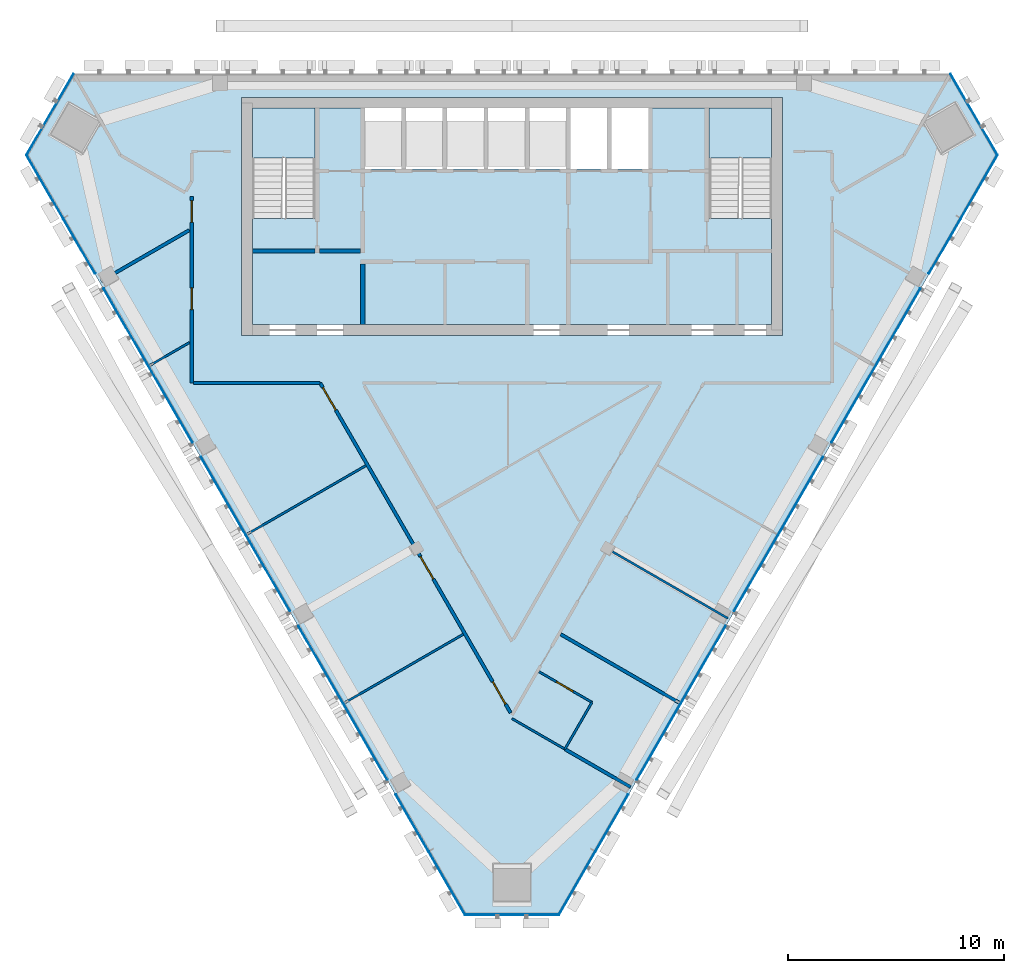
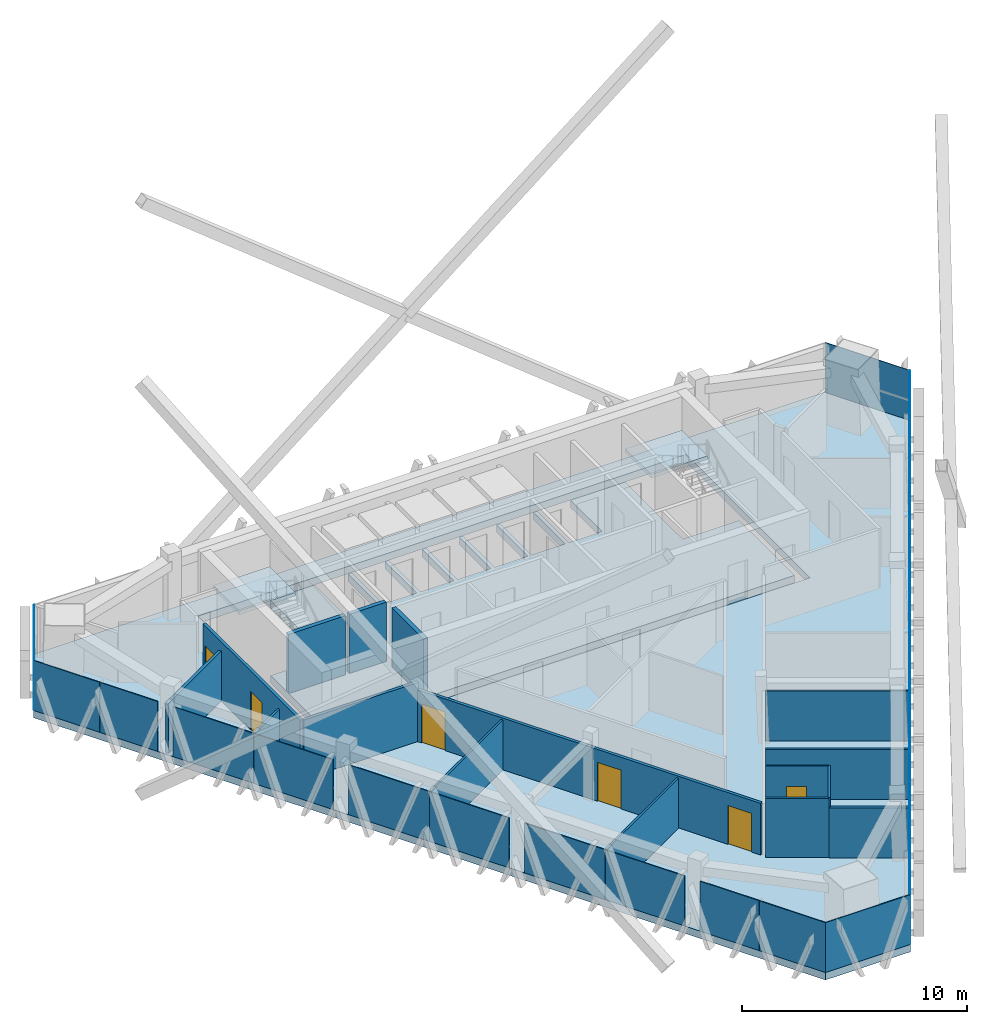
# One storey, part 7 of 12: 23 plates, 16 walls, 6 doors, 4 slabs, 6 openings, 7 elements without a shape of their own.
"""IFC4 building model written with IfcOpenShell, lengths in metres."""

from ifc_helpers import new_model, si_unit, direction, frame, frame_2d, origin, origin_2d, place, context, subcontext, project, spatial, polyline, rectangle, outline, extrude, material, layer, layer_set, type_object, element, fill, aggregate, save


model = new_model("IFC4")

# Units and contexts
model_context = context("Model", 3, precision=1e-05, world=origin(), true_north=direction((0.0, 1.0)))
body_context = subcontext(model_context, "Body", "Model", "MODEL_VIEW")
ifc_project = project(units=[si_unit("LENGTHUNIT", "METRE"), si_unit("AREAUNIT", "SQUARE_METRE"), si_unit("VOLUMEUNIT", "CUBIC_METRE"), si_unit("PLANEANGLEUNIT", "RADIAN"), si_unit("MASSUNIT", "GRAM", prefix="KILO")], contexts=[model_context])

# Site, building, storey
site_placement = place(None, origin())
site = spatial("IfcSite", under=ifc_project, at=site_placement, CompositionType="ELEMENT")
building_placement = place(site_placement, origin())
building = spatial("IfcBuilding", under=site, at=building_placement, Name="Altiplano Prism Tower", CompositionType="ELEMENT")
storey_placement = place(building_placement, frame((0.0, 0.0, 291.39990234375)))
storey = spatial("IfcBuildingStorey", under=building, at=storey_placement, Name="L75", CompositionType="ELEMENT", Elevation=291.39990234375)

# Curtain wall, plate
ifc_material_1 = material(Name="Aluminium and glass", Category="aluminium")
ifc_layer_1 = layer(ifc_material_1, 0.280029296875)
ifc_layer_set_1 = layer_set([ifc_layer_1], Name="Aluminium and glass")
curtain_wall_type = type_object("IfcCurtainWallType", Name="CW1 typical co-living unitised curtain wall", PredefinedType="NOTDEFINED", material=ifc_layer_set_1)
curtain_wall_1_placement = place(storey_placement, origin())
curtain_wall_1 = element("IfcCurtainWall", 1, at=curtain_wall_1_placement, inside=storey, type_object=curtain_wall_type, Name="CW1 curtain wall north-west chamfer L75", PredefinedType="NOTDEFINED")
ifc_material_2 = material(Name="Clear glass", Category="glass")
ifc_layer_2 = layer(ifc_material_2, 0.0400390625)
ifc_layer_set_2 = layer_set([ifc_layer_2], Name="Clear glass")
plate_type = type_object("IfcPlateType", Name="CW1 insulated glass unit 40", PredefinedType="CURTAIN_PANEL", material=ifc_layer_set_2)
plate_1_placement = place(storey_placement, frame((63.654052734375, 103.107666015625, 0.0), z_axis=(0.0, 0.0, 1.0), x_axis=(-0.500000064314, -0.866025366653, 0.0)))
plate_1 = element("IfcPlate", 2, at=plate_1_placement, type_object=plate_type, Name="CW1 panel", PredefinedType="CURTAIN_PANEL", context=body_context, shape_type="SweptSolid", body=[
    extrude(rectangle(XDim=4.3369140625, YDim=0.0400390625, at=origin_2d()), origin(), (0.0, 0.0, 1.0), 2.699951171875),
])
aggregate(curtain_wall_1, [plate_1])

# Curtain wall, plates
curtain_wall_2_placement = place(storey_placement, origin())
curtain_wall_2 = element("IfcCurtainWall", 3, at=curtain_wall_2_placement, inside=storey, type_object=curtain_wall_type, Name="CW1 curtain wall south-west face L75", PredefinedType="NOTDEFINED")
plate_2_placement = place(storey_placement, frame((63.414306640625, 99.7783203125, 0.0), z_axis=(0.0, 0.0, 1.0), x_axis=(0.499999988588, -0.866025410373, 0.0)))
plate_2 = element("IfcPlate", 4, at=plate_2_placement, type_object=plate_type, Name="CW1 panel", PredefinedType="CURTAIN_PANEL", context=body_context, shape_type="SweptSolid", body=[
    extrude(rectangle(XDim=3.378173828125, YDim=0.0400390625, at=origin_2d()), origin(), (0.0, 0.0, 1.0), 2.699951171875),
])
plate_3_placement = place(storey_placement, frame((65.001220703125, 97.030029296875, 0.0), z_axis=(0.0, 0.0, 1.0), x_axis=(0.499999988588, -0.866025410373, 0.0)))
plate_3 = element("IfcPlate", 5, at=plate_3_placement, type_object=plate_type, Name="CW1 panel", PredefinedType="CURTAIN_PANEL", context=body_context, shape_type="SweptSolid", body=[
    extrude(rectangle(XDim=2.94873046875, YDim=0.0400390625, at=origin_2d()), origin(), (0.0, 0.0, 1.0), 2.699951171875),
])
plate_4_placement = place(storey_placement, frame((67.168212890625, 93.276611328125, 0.0), z_axis=(0.0, 0.0, 1.0), x_axis=(0.499999988588, -0.866025410373, 0.0)))
plate_4 = element("IfcPlate", 6, at=plate_4_placement, type_object=plate_type, Name="CW1 panel", PredefinedType="CURTAIN_PANEL", context=body_context, shape_type="SweptSolid", body=[
    extrude(rectangle(XDim=4.139892578125, YDim=0.0400390625, at=origin_2d()), origin(), (0.0, 0.0, 1.0), 2.699951171875),
])
plate_5_placement = place(storey_placement, frame((69.22314453125, 89.717041015625, 0.0), z_axis=(0.0, 0.0, 1.0), x_axis=(0.499999988588, -0.866025410373, 0.0)))
plate_5 = element("IfcPlate", 7, at=plate_5_placement, type_object=plate_type, Name="CW1 panel", PredefinedType="CURTAIN_PANEL", context=body_context, shape_type="SweptSolid", body=[
    extrude(rectangle(XDim=4.060302734375, YDim=0.0400390625, at=origin_2d()), origin(), (0.0, 0.0, 1.0), 2.699951171875),
])
plate_6_placement = place(storey_placement, frame((71.668212890625, 85.482421875, 0.0), z_axis=(0.0, 0.0, 1.0), x_axis=(0.499999988588, -0.866025410373, 0.0)))
plate_6 = element("IfcPlate", 8, at=plate_6_placement, type_object=plate_type, Name="CW1 panel", PredefinedType="CURTAIN_PANEL", context=body_context, shape_type="SweptSolid", body=[
    extrude(rectangle(XDim=4.139892578125, YDim=0.0400390625, at=origin_2d()), origin(), (0.0, 0.0, 1.0), 2.699951171875),
])
plate_7_placement = place(storey_placement, frame((73.72314453125, 81.9228515625, 0.0), z_axis=(0.0, 0.0, 1.0), x_axis=(0.499999988588, -0.866025410373, 0.0)))
plate_7 = element("IfcPlate", 9, at=plate_7_placement, type_object=plate_type, Name="CW1 panel", PredefinedType="CURTAIN_PANEL", context=body_context, shape_type="SweptSolid", body=[
    extrude(rectangle(XDim=4.060302734375, YDim=0.0400390625, at=origin_2d()), origin(), (0.0, 0.0, 1.0), 2.699951171875),
])
plate_8_placement = place(storey_placement, frame((76.168212890625, 77.688232421875, 0.0), z_axis=(0.0, 0.0, 1.0), x_axis=(0.499999988588, -0.866025410373, 0.0)))
plate_8 = element("IfcPlate", 10, at=plate_8_placement, type_object=plate_type, Name="CW1 panel", PredefinedType="CURTAIN_PANEL", context=body_context, shape_type="SweptSolid", body=[
    extrude(rectangle(XDim=4.139892578125, YDim=0.0400390625, at=origin_2d()), origin(), (0.0, 0.0, 1.0), 2.699951171875),
])
plate_9_placement = place(storey_placement, frame((78.22314453125, 74.128662109375, 0.0), z_axis=(0.0, 0.0, 1.0), x_axis=(0.499999988588, -0.866025410373, 0.0)))
plate_9 = element("IfcPlate", 11, at=plate_9_placement, type_object=plate_type, Name="CW1 panel", PredefinedType="CURTAIN_PANEL", context=body_context, shape_type="SweptSolid", body=[
    extrude(rectangle(XDim=4.060302734375, YDim=0.0400390625, at=origin_2d()), origin(), (0.0, 0.0, 1.0), 2.699951171875),
])
plate_10_placement = place(storey_placement, frame((80.39013671875, 70.375244140625, 0.0), z_axis=(0.0, 0.0, 1.0), x_axis=(0.499999988588, -0.866025410373, 0.0)))
plate_10 = element("IfcPlate", 12, at=plate_10_placement, type_object=plate_type, Name="CW1 panel", PredefinedType="CURTAIN_PANEL", context=body_context, shape_type="SweptSolid", body=[
    extrude(rectangle(XDim=3.028076171875, YDim=0.0400390625, at=origin_2d()), origin(), (0.0, 0.0, 1.0), 2.699951171875),
])
plate_11_placement = place(storey_placement, frame((81.996826171875, 67.592529296875, 0.0), z_axis=(0.0, 0.0, 1.0), x_axis=(0.499999988588, -0.866025410373, 0.0)))
plate_11 = element("IfcPlate", 13, at=plate_11_placement, type_object=plate_type, Name="CW1 panel", PredefinedType="CURTAIN_PANEL", context=body_context, shape_type="SweptSolid", body=[
    extrude(rectangle(XDim=3.378173828125, YDim=0.0400390625, at=origin_2d()), origin(), (0.0, 0.0, 1.0), 2.699951171875),
])
aggregate(curtain_wall_2, [plate_2, plate_3, plate_4, plate_5, plate_6, plate_7, plate_8, plate_9, plate_10, plate_11])

# Curtain wall, plate
curtain_wall_3_placement = place(storey_placement, origin())
curtain_wall_3 = element("IfcCurtainWall", 14, at=curtain_wall_3_placement, inside=storey, type_object=curtain_wall_type, Name="CW1 curtain wall south chamfer L75", PredefinedType="NOTDEFINED")
plate_12_placement = place(storey_placement, frame((85.0, 66.135498046875, 0.0), z_axis=(0.0, 0.0, 1.0), x_axis=(1.0, 0.0, 0.0)))
plate_12 = element("IfcPlate", 15, at=plate_12_placement, type_object=plate_type, Name="CW1 panel", PredefinedType="CURTAIN_PANEL", context=body_context, shape_type="SweptSolid", body=[
    extrude(rectangle(XDim=4.3369140625, YDim=0.0400390625, at=origin_2d()), origin(), (0.0, 0.0, 1.0), 2.699951171875),
])
aggregate(curtain_wall_3, [plate_12])

# Curtain wall, plates
curtain_wall_4_placement = place(storey_placement, origin())
curtain_wall_4 = element("IfcCurtainWall", 16, at=curtain_wall_4_placement, inside=storey, type_object=curtain_wall_type, Name="CW1 curtain wall south-east face L75", PredefinedType="NOTDEFINED")
plate_13_placement = place(storey_placement, frame((88.003173828125, 67.592529296875, 0.0), z_axis=(0.0, 0.0, 1.0), x_axis=(0.499999988588, 0.866025410373, 0.0)))
plate_13 = element("IfcPlate", 17, at=plate_13_placement, type_object=plate_type, Name="CW1 panel", PredefinedType="CURTAIN_PANEL", context=body_context, shape_type="SweptSolid", body=[
    extrude(rectangle(XDim=3.378173828125, YDim=0.0400390625, at=origin_2d()), origin(), (0.0, 0.0, 1.0), 2.699951171875),
])
plate_14_placement = place(storey_placement, frame((89.60986328125, 70.375244140625, 0.0), z_axis=(0.0, 0.0, 1.0), x_axis=(0.499999988588, 0.866025410373, 0.0)))
plate_14 = element("IfcPlate", 18, at=plate_14_placement, type_object=plate_type, Name="CW1 panel", PredefinedType="CURTAIN_PANEL", context=body_context, shape_type="SweptSolid", body=[
    extrude(rectangle(XDim=3.028076171875, YDim=0.0400390625, at=origin_2d()), origin(), (0.0, 0.0, 1.0), 2.699951171875),
])
plate_15_placement = place(storey_placement, frame((91.77685546875, 74.128662109375, 0.0), z_axis=(0.0, 0.0, 1.0), x_axis=(0.499999988588, 0.866025410373, 0.0)))
plate_15 = element("IfcPlate", 19, at=plate_15_placement, type_object=plate_type, Name="CW1 panel", PredefinedType="CURTAIN_PANEL", context=body_context, shape_type="SweptSolid", body=[
    extrude(rectangle(XDim=4.060302734375, YDim=0.0400390625, at=origin_2d()), origin(), (0.0, 0.0, 1.0), 2.699951171875),
])
plate_16_placement = place(storey_placement, frame((93.831787109375, 77.688232421875, 0.0), z_axis=(0.0, 0.0, 1.0), x_axis=(0.499999988588, 0.866025410373, 0.0)))
plate_16 = element("IfcPlate", 20, at=plate_16_placement, type_object=plate_type, Name="CW1 panel", PredefinedType="CURTAIN_PANEL", context=body_context, shape_type="SweptSolid", body=[
    extrude(rectangle(XDim=4.139892578125, YDim=0.0400390625, at=origin_2d()), origin(), (0.0, 0.0, 1.0), 2.699951171875),
])
plate_17_placement = place(storey_placement, frame((96.27685546875, 81.9228515625, 0.0), z_axis=(0.0, 0.0, 1.0), x_axis=(0.499999988588, 0.866025410373, 0.0)))
plate_17 = element("IfcPlate", 21, at=plate_17_placement, type_object=plate_type, Name="CW1 panel", PredefinedType="CURTAIN_PANEL", context=body_context, shape_type="SweptSolid", body=[
    extrude(rectangle(XDim=4.060302734375, YDim=0.0400390625, at=origin_2d()), origin(), (0.0, 0.0, 1.0), 2.699951171875),
])
plate_18_placement = place(storey_placement, frame((98.331787109375, 85.482421875, 0.0), z_axis=(0.0, 0.0, 1.0), x_axis=(0.499999988588, 0.866025410373, 0.0)))
plate_18 = element("IfcPlate", 22, at=plate_18_placement, type_object=plate_type, Name="CW1 panel", PredefinedType="CURTAIN_PANEL", context=body_context, shape_type="SweptSolid", body=[
    extrude(rectangle(XDim=4.139892578125, YDim=0.0400390625, at=origin_2d()), origin(), (0.0, 0.0, 1.0), 2.699951171875),
])
plate_19_placement = place(storey_placement, frame((100.77685546875, 89.717041015625, 0.0), z_axis=(0.0, 0.0, 1.0), x_axis=(0.499999988588, 0.866025410373, 0.0)))
plate_19 = element("IfcPlate", 23, at=plate_19_placement, type_object=plate_type, Name="CW1 panel", PredefinedType="CURTAIN_PANEL", context=body_context, shape_type="SweptSolid", body=[
    extrude(rectangle(XDim=4.060302734375, YDim=0.0400390625, at=origin_2d()), origin(), (0.0, 0.0, 1.0), 2.699951171875),
])
plate_20_placement = place(storey_placement, frame((102.831787109375, 93.276611328125, 0.0), z_axis=(0.0, 0.0, 1.0), x_axis=(0.499999988588, 0.866025410373, 0.0)))
plate_20 = element("IfcPlate", 24, at=plate_20_placement, type_object=plate_type, Name="CW1 panel", PredefinedType="CURTAIN_PANEL", context=body_context, shape_type="SweptSolid", body=[
    extrude(rectangle(XDim=4.139892578125, YDim=0.0400390625, at=origin_2d()), origin(), (0.0, 0.0, 1.0), 2.699951171875),
])
plate_21_placement = place(storey_placement, frame((104.998779296875, 97.030029296875, 0.0), z_axis=(0.0, 0.0, 1.0), x_axis=(0.499999988588, 0.866025410373, 0.0)))
plate_21 = element("IfcPlate", 25, at=plate_21_placement, type_object=plate_type, Name="CW1 panel", PredefinedType="CURTAIN_PANEL", context=body_context, shape_type="SweptSolid", body=[
    extrude(rectangle(XDim=2.94873046875, YDim=0.0400390625, at=origin_2d()), origin(), (0.0, 0.0, 1.0), 2.699951171875),
])
plate_22_placement = place(storey_placement, frame((106.585693359375, 99.7783203125, 0.0), z_axis=(0.0, 0.0, 1.0), x_axis=(0.499999988588, 0.866025410373, 0.0)))
plate_22 = element("IfcPlate", 26, at=plate_22_placement, type_object=plate_type, Name="CW1 panel", PredefinedType="CURTAIN_PANEL", context=body_context, shape_type="SweptSolid", body=[
    extrude(rectangle(XDim=3.378173828125, YDim=0.0400390625, at=origin_2d()), origin(), (0.0, 0.0, 1.0), 2.699951171875),
])
aggregate(curtain_wall_4, [plate_13, plate_14, plate_15, plate_16, plate_17, plate_18, plate_19, plate_20, plate_21, plate_22])

# Curtain wall, plate
curtain_wall_5_placement = place(storey_placement, origin())
curtain_wall_5 = element("IfcCurtainWall", 27, at=curtain_wall_5_placement, inside=storey, type_object=curtain_wall_type, Name="CW1 curtain wall north-east chamfer L75", PredefinedType="NOTDEFINED")
plate_23_placement = place(storey_placement, frame((106.345947265625, 103.107666015625, 0.0), z_axis=(0.0, 0.0, 1.0), x_axis=(-0.500000064314, 0.866025366653, 0.0)))
plate_23 = element("IfcPlate", 28, at=plate_23_placement, type_object=plate_type, Name="CW1 panel", PredefinedType="CURTAIN_PANEL", context=body_context, shape_type="SweptSolid", body=[
    extrude(rectangle(XDim=4.3369140625, YDim=0.0400390625, at=origin_2d()), origin(), (0.0, 0.0, 1.0), 2.699951171875),
])
aggregate(curtain_wall_5, [plate_23])

# Slabs
ifc_material_3 = material(Name="Concrete C40/50", Category="concrete")
ifc_layer_3 = layer(ifc_material_3, 0.39990234375)
ifc_layer_set_3 = layer_set([ifc_layer_3], Name="Concrete C40/50")
slab_type_1 = type_object("IfcSlabType", Name="Core floor slab 400", PredefinedType="FLOOR", material=ifc_layer_set_3)
slab_1_placement = place(storey_placement, frame((0.0, 0.0, -0.39990234375)))
element("IfcSlab", 29, at=slab_1_placement, inside=storey, type_object=slab_type_1, Name="Core floor slab L75", PredefinedType="FLOOR", context=body_context, shape_type="SweptSolid", body=[
    extrude(outline(polyline([(97.0, 98.31005859375), (94.10009765625, 98.31005859375), (94.10009765625, 103.39990234375), (91.300048828125, 103.39990234375), (91.300048828125, 100.60009765625), (89.60009765625, 100.60009765625), (89.60009765625, 103.39990234375), (89.39990234375, 103.39990234375), (89.39990234375, 100.60009765625), (87.699951171875, 100.60009765625), (87.699951171875, 103.39990234375), (87.5, 103.39990234375), (87.5, 100.60009765625), (85.800048828125, 100.60009765625), (85.800048828125, 103.39990234375), (85.60009765625, 103.39990234375), (85.60009765625, 100.60009765625), (83.89990234375, 100.60009765625), (83.89990234375, 103.39990234375), (83.699951171875, 103.39990234375), (83.699951171875, 100.60009765625), (82.0, 100.60009765625), (82.0, 103.39990234375), (81.800048828125, 103.39990234375), (81.800048828125, 100.60009765625), (80.10009765625, 100.60009765625), (80.10009765625, 103.39990234375), (79.89990234375, 103.39990234375), (79.89990234375, 100.60009765625), (78.199951171875, 100.60009765625), (78.199951171875, 103.39990234375), (75.89990234375, 103.39990234375), (75.89990234375, 98.31005859375), (73.0, 98.31005859375), (73.0, 93.39990234375), (97.0, 93.39990234375), (97.0, 98.31005859375)])), origin(), (0.0, 0.0, 1.0), 0.39990234375),
])
ifc_layer_4 = layer(ifc_material_3, 0.39990234375)
ifc_layer_set_4 = layer_set([ifc_layer_4], Name="Concrete C40/50")
slab_type_2 = type_object("IfcSlabType", Name="Post-tensioned flat slab 400", PredefinedType="FLOOR", material=ifc_layer_set_4)
slab_2_placement = place(storey_placement, frame((0.0, 0.0, -0.39990234375)))
element("IfcSlab", 30, at=slab_2_placement, inside=storey, type_object=slab_type_2, Name="Floor slab L75", PredefinedType="FLOOR", context=body_context, shape_type="SweptSolid", body=[
    extrude(outline(polyline([(107.449951171875, 101.2353515625), (87.173583984375, 66.115478515625), (82.826416015625, 66.115478515625), (62.550048828125, 101.2353515625), (64.723388671875, 105.0), (105.276611328125, 105.0), (107.449951171875, 101.2353515625)]), holes=[polyline([(97.5, 92.89990234375), (97.5, 103.89990234375), (72.5, 103.89990234375), (72.5, 92.89990234375), (97.5, 92.89990234375)])]), origin(), (0.0, 0.0, 1.0), 0.39990234375),
])

# Stair, slab
stair_type = type_object("IfcStairType", Name="Exit stair 1400", PredefinedType="HALF_TURN_STAIR", material=ifc_material_3)
stair_1_placement = place(storey_placement, origin())
stair_1 = element("IfcStair", 31, at=stair_1_placement, inside=storey, type_object=stair_type, Name="L75 Exit Stair 1", PredefinedType="HALF_TURN_STAIR")
ifc_layer_5 = layer(ifc_material_3, 0.199951171875)
ifc_layer_set_5 = layer_set([ifc_layer_5], Name="Concrete C40/50")
slab_type_3 = type_object("IfcSlabType", Name="Stair landing 200", PredefinedType="LANDING", material=ifc_layer_set_5)
slab_3_placement = place(storey_placement, frame((0.0, 0.0, 1.60009765625)))
slab_3 = element("IfcSlab", 32, at=slab_3_placement, type_object=slab_type_3, Name="ST1 landing 1", PredefinedType="LANDING", context=body_context, shape_type="SweptSolid", body=[
    extrude(outline(polyline([(75.89990234375, 101.096923828125), (75.89990234375, 103.39990234375), (73.0, 103.39990234375), (73.0, 101.096923828125), (75.89990234375, 101.096923828125)])), origin(), (0.0, 0.0, 1.0), 0.199951171875),
])
aggregate(stair_1, [slab_3])

stair_2_placement = place(storey_placement, origin())
stair_2 = element("IfcStair", 33, at=stair_2_placement, inside=storey, type_object=stair_type, Name="L75 Exit Stair 2", PredefinedType="HALF_TURN_STAIR")
slab_4_placement = place(storey_placement, frame((0.0, 0.0, 1.60009765625)))
slab_4 = element("IfcSlab", 34, at=slab_4_placement, type_object=slab_type_3, Name="ST2 landing 1", PredefinedType="LANDING", context=body_context, shape_type="SweptSolid", body=[
    extrude(outline(polyline([(97.0, 101.096923828125), (97.0, 103.39990234375), (94.10009765625, 103.39990234375), (94.10009765625, 101.096923828125), (97.0, 101.096923828125)])), origin(), (0.0, 0.0, 1.0), 0.199951171875),
])
aggregate(stair_2, [slab_4])

# Wall, opening, door
ifc_material_4 = material(Name="Plasterboard on steel stud", Category="steel")
ifc_layer_6 = layer(ifc_material_4, 0.10009765625)
ifc_layer_set_6 = layer_set([ifc_layer_6], Name="Plasterboard on steel stud")
wall_type_1 = type_object("IfcWallType", Name="Partition 100 unit", PredefinedType="PARTITIONING", material=ifc_layer_set_6)
wall_1_placement = place(storey_placement, frame((86.24755859375, 77.361572265625, 0.0), z_axis=(0.0, 0.0, 1.0), x_axis=(0.866048868473, -0.499959355765, 0.0)))
wall_1 = element("IfcWall", 35, at=wall_1_placement, inside=storey, type_object=wall_type_1, Name="Partition P02 L75 028", PredefinedType="PARTITIONING", context=body_context, shape_type="SweptSolid", body=[
    extrude(rectangle(XDim=2.824951171875, YDim=0.10009765625, at=frame_2d((1.41259765625, 0.0))), origin(), (0.0, 0.0, 1.0), 3.2001953125),
])
opening_1_placement = place(wall_1_placement, frame((0.926025390625, 0.0, 0.0)))
opening_1 = element("IfcOpeningElement", 36, at=opening_1_placement, cuts=wall_1, Name="Opening D2316", PredefinedType="OPENING", context=body_context, shape_type="SweptSolid", body=[
    extrude(rectangle(XDim=0.89990234375, YDim=2.10009765625, at=frame_2d((0.449951171875, 1.050048828125))), frame((0.0, 0.060546875, 0.0), z_axis=(0.0, -1.0, 0.0), x_axis=(1.0, 0.0, 0.0)), (0.0, 0.0, 1.0), 0.12109375),
])
ifc_material_5 = material(Name="Timber", Category="wood")
door_type_1 = type_object("IfcDoorType", Name="Ensuite door 900 x 2100", OperationType="NOTDEFINED", PredefinedType="NOTDEFINED", material=ifc_material_5)
door_1_placement = place(opening_1_placement, origin())
door_1 = element("IfcDoor", 37, at=door_1_placement, inside=storey, type_object=door_type_1, Name="Door D2316", OperationType="SINGLE_SWING_LEFT", OverallHeight=2.10009765625, OverallWidth=0.89990234375, PredefinedType="NOTDEFINED", context=body_context, shape_type="SweptSolid", body=[
    extrude(rectangle(XDim=0.89990234375, YDim=2.10009765625, at=frame_2d((0.449951171875, 1.050048828125))), frame((0.0, 0.02490234375, 0.0), z_axis=(0.0, -1.0, 0.0), x_axis=(1.0, 0.0, 0.0)), (0.0, 0.0, 1.0), 0.050048828125),
])
fill(opening_1, door_1)

# Walls
wall_2_placement = place(storey_placement, frame((88.694091796875, 75.94921875, 0.0), z_axis=(0.0, 0.0, 1.0), x_axis=(-0.500004234368, -0.866022959057, 0.0)))
element("IfcWall", 38, at=wall_2_placement, inside=storey, type_object=wall_type_1, Name="Partition P02 L75 029", PredefinedType="PARTITIONING", context=body_context, shape_type="SweptSolid", body=[
    extrude(rectangle(XDim=2.5, YDim=0.10009765625, at=frame_2d((1.25, 0.0))), origin(), (0.0, 0.0, 1.0), 3.2001953125),
])
ifc_layer_7 = layer(ifc_material_4, 0.10009765625)
ifc_layer_set_7 = layer_set([ifc_layer_7], Name="Plasterboard on steel stud")
wall_type_2 = type_object("IfcWallType", Name="Partition 100 wet", PredefinedType="PARTITIONING", material=ifc_layer_set_7)
wall_3_placement = place(storey_placement, frame((68.25732421875, 91.509521484375, 0.0), z_axis=(0.0, 0.0, 1.0), x_axis=(0.866017446268, 0.50001378257, 0.0)))
element("IfcWall", 39, at=wall_3_placement, inside=storey, type_object=wall_type_2, Name="Partition P03 L75 023", PredefinedType="PARTITIONING", context=body_context, shape_type="SweptSolid", body=[
    extrude(rectangle(XDim=2.1279296875, YDim=0.10009765625, at=frame_2d((1.06396484375, 0.0))), origin(), (0.0, 0.0, 1.0), 2.7001953125),
])
for number, where, z_axis, x_axis, name in (
    (40, (72.75732421875, 83.71533203125, 0.0), (0.0, 0.0, 1.0), (0.866025401434, 0.500000004071, 0.0), "Partition P03 L75 024"),
    (41, (77.25732421875, 75.921142578125, 0.0), (0.0, 0.0, 1.0), (0.866025401434, 0.500000004071, 0.0), "Partition P03 L75 025"),
):
    element("IfcWall", number, at=place(storey_placement, frame(where, z_axis=z_axis, x_axis=x_axis)), inside=storey, type_object=wall_type_2, Name=name, PredefinedType="PARTITIONING", context=body_context, shape_type="SweptSolid", body=[
        extrude(rectangle(XDim=6.34521484375, YDim=0.10009765625, at=frame_2d((3.172607421875, 0.0))), origin(), (0.0, 0.0, 1.0), 2.7001953125),
    ])
wall_4_placement = place(storey_placement, frame((87.444091796875, 73.7841796875, 0.0), z_axis=(0.0, 0.0, 1.0), x_axis=(-0.866057375956, 0.499944618485, 0.0)))
element("IfcWall", 42, at=wall_4_placement, inside=storey, type_object=wall_type_2, Name="Partition P03 L75 027", PredefinedType="PARTITIONING", context=body_context, shape_type="SweptSolid", body=[
    extrude(rectangle(XDim=2.822021484375, YDim=0.10009765625, at=frame_2d((1.4111328125, 0.0))), origin(), (0.0, 0.0, 1.0), 3.2001953125),
])
wall_5_placement = place(storey_placement, frame((94.97509765625, 79.828369140625, 0.0), z_axis=(0.0, 0.0, 1.0), x_axis=(-0.866032601554, 0.49998753289, 0.0)))
element("IfcWall", 43, at=wall_5_placement, inside=storey, type_object=wall_type_2, Name="Partition P03 L75 031", PredefinedType="PARTITIONING", context=body_context, shape_type="SweptSolid", body=[
    extrude(rectangle(XDim=6.324951171875, YDim=0.10009765625, at=frame_2d((3.16259765625, 0.0))), origin(), (0.0, 0.0, 1.0), 2.7001953125),
])

# Wall, openings, doors
ifc_layer_8 = layer(ifc_material_4, 0.14990234375)
ifc_layer_set_8 = layer_set([ifc_layer_8], Name="Plasterboard on steel stud")
wall_type_3 = type_object("IfcWallType", Name="Partition 150 corridor", PredefinedType="PARTITIONING", material=ifc_layer_set_8)
wall_6_placement = place(storey_placement, frame((70.199951171875, 99.328369140625, 0.0), z_axis=(0.0, 0.0, 1.0), x_axis=(0.0, -1.0, 0.0)))
wall_6 = element("IfcWall", 44, at=wall_6_placement, inside=storey, type_object=wall_type_3, Name="Partition P06 L75 004", PredefinedType="PARTITIONING", context=body_context, shape_type="SweptSolid", body=[
    extrude(rectangle(XDim=8.62841796875, YDim=0.14990234375, at=frame_2d((4.314208984375, 0.0))), origin(), (0.0, 0.0, 1.0), 3.2001953125),
])
opening_2_placement = place(wall_6_placement, frame((0.199951171875, 0.0, 0.0)))
opening_2 = element("IfcOpeningElement", 45, at=opening_2_placement, cuts=wall_6, Name="Opening D2310", PredefinedType="OPENING", context=body_context, shape_type="SweptSolid", body=[
    extrude(rectangle(XDim=1.0, YDim=2.10009765625, at=frame_2d((0.5, 1.050048828125))), frame((0.0, 0.08544921875, 0.0), z_axis=(0.0, -1.0, 0.0), x_axis=(1.0, 0.0, 0.0)), (0.0, 0.0, 1.0), 0.1708984375),
])
opening_3_placement = place(wall_6_placement, frame((4.23291015625, 0.0, 0.0)))
opening_3 = element("IfcOpeningElement", 46, at=opening_3_placement, cuts=wall_6, Name="Opening D2311", PredefinedType="OPENING", context=body_context, shape_type="SweptSolid", body=[
    extrude(rectangle(XDim=1.0, YDim=2.10009765625, at=frame_2d((0.5, 1.050048828125))), frame((0.0, 0.08544921875, 0.0), z_axis=(0.0, -1.0, 0.0), x_axis=(1.0, 0.0, 0.0)), (0.0, 0.0, 1.0), 0.1708984375),
])
door_type_2 = type_object("IfcDoorType", Name="Room door 1000 x 2100", OperationType="NOTDEFINED", PredefinedType="NOTDEFINED", material=ifc_material_5)
door_2_placement = place(opening_2_placement, origin())
door_2 = element("IfcDoor", 47, at=door_2_placement, inside=storey, type_object=door_type_2, Name="Door D2310", OperationType="SINGLE_SWING_LEFT", OverallHeight=2.10009765625, OverallWidth=1.0, PredefinedType="NOTDEFINED", context=body_context, shape_type="SweptSolid", body=[
    extrude(rectangle(XDim=1.0, YDim=2.10009765625, at=frame_2d((0.5, 1.050048828125))), frame((0.0, 0.02490234375, 0.0), z_axis=(0.0, -1.0, 0.0), x_axis=(1.0, 0.0, 0.0)), (0.0, 0.0, 1.0), 0.050048828125),
])
fill(opening_2, door_2)
door_3_placement = place(opening_3_placement, origin())
door_3 = element("IfcDoor", 48, at=door_3_placement, inside=storey, type_object=door_type_2, Name="Door D2311", OperationType="SINGLE_SWING_LEFT", OverallHeight=2.10009765625, OverallWidth=1.0, PredefinedType="NOTDEFINED", context=body_context, shape_type="SweptSolid", body=[
    extrude(rectangle(XDim=1.0, YDim=2.10009765625, at=frame_2d((0.5, 1.050048828125))), frame((0.0, 0.02490234375, 0.0), z_axis=(0.0, -1.0, 0.0), x_axis=(1.0, 0.0, 0.0)), (0.0, 0.0, 1.0), 0.050048828125),
])
fill(opening_3, door_3)

# Wall
wall_7_placement = place(storey_placement, frame((70.27490234375, 90.699951171875, 0.0), z_axis=(0.0, 0.0, 1.0), x_axis=(1.0, 0.0, 0.0)))
element("IfcWall", 49, at=wall_7_placement, inside=storey, type_object=wall_type_3, Name="Partition P06 L75 005", PredefinedType="PARTITIONING", context=body_context, shape_type="SweptSolid", body=[
    extrude(rectangle(XDim=5.86328125, YDim=0.14990234375, at=frame_2d((2.931640625, 0.0))), origin(), (0.0, 0.0, 1.0), 3.2001953125),
])

# Wall, openings, doors
wall_8_placement = place(storey_placement, frame((76.13818359375, 90.699951171875, 0.0), z_axis=(0.0, 0.0, 1.0), x_axis=(0.500001530416, -0.866024520197, 0.0)))
wall_8 = element("IfcWall", 50, at=wall_8_placement, inside=storey, type_object=wall_type_3, Name="Partition P06 L75 006", PredefinedType="PARTITIONING", context=body_context, shape_type="SweptSolid", body=[
    extrude(rectangle(XDim=17.59375, YDim=0.14990234375, at=frame_2d((8.796875, 0.0))), origin(), (0.0, 0.0, 1.0), 2.800048828125),
])
opening_4_placement = place(wall_8_placement, frame((0.241943359375, 0.0, 0.0)))
opening_4 = element("IfcOpeningElement", 51, at=opening_4_placement, cuts=wall_8, Name="Opening D2312", PredefinedType="OPENING", context=body_context, shape_type="SweptSolid", body=[
    extrude(rectangle(XDim=1.199951171875, YDim=2.10009765625, at=frame_2d((0.60009765625, 1.050048828125))), frame((0.0, 0.08544921875, 0.0), z_axis=(0.0, -1.0, 0.0), x_axis=(1.0, 0.0, 0.0)), (0.0, 0.0, 1.0), 0.1708984375),
])
opening_5_placement = place(wall_8_placement, frame((9.258056640625, 0.0, 0.0)))
opening_5 = element("IfcOpeningElement", 52, at=opening_5_placement, cuts=wall_8, Name="Opening D2313", PredefinedType="OPENING", context=body_context, shape_type="SweptSolid", body=[
    extrude(rectangle(XDim=1.199951171875, YDim=2.10009765625, at=frame_2d((0.60009765625, 1.050048828125))), frame((0.0, 0.08544921875, 0.0), z_axis=(0.0, -1.0, 0.0), x_axis=(1.0, 0.0, 0.0)), (0.0, 0.0, 1.0), 0.1708984375),
])
opening_6_placement = place(wall_8_placement, frame((15.93505859375, 0.0, 0.0)))
opening_6 = element("IfcOpeningElement", 53, at=opening_6_placement, cuts=wall_8, Name="Opening D2314", PredefinedType="OPENING", context=body_context, shape_type="SweptSolid", body=[
    extrude(rectangle(XDim=1.199951171875, YDim=2.10009765625, at=frame_2d((0.60009765625, 1.050048828125))), frame((0.0, 0.08544921875, 0.0), z_axis=(0.0, -1.0, 0.0), x_axis=(1.0, 0.0, 0.0)), (0.0, 0.0, 1.0), 0.1708984375),
])
door_type_3 = type_object("IfcDoorType", Name="Shared room door 1200 x 2100", OperationType="NOTDEFINED", PredefinedType="NOTDEFINED", material=ifc_material_5)
door_4_placement = place(opening_4_placement, origin())
door_4 = element("IfcDoor", 54, at=door_4_placement, inside=storey, type_object=door_type_3, Name="Door D2312", OperationType="SINGLE_SWING_RIGHT", OverallHeight=2.10009765625, OverallWidth=1.199951171875, PredefinedType="NOTDEFINED", context=body_context, shape_type="SweptSolid", body=[
    extrude(rectangle(XDim=1.199951171875, YDim=2.10009765625, at=frame_2d((0.60009765625, 1.050048828125))), frame((0.0, 0.02490234375, 0.0), z_axis=(0.0, -1.0, 0.0), x_axis=(1.0, 0.0, 0.0)), (0.0, 0.0, 1.0), 0.050048828125),
])
fill(opening_4, door_4)
door_5_placement = place(opening_5_placement, origin())
door_5 = element("IfcDoor", 55, at=door_5_placement, inside=storey, type_object=door_type_3, Name="Door D2313", OperationType="SINGLE_SWING_RIGHT", OverallHeight=2.10009765625, OverallWidth=1.199951171875, PredefinedType="NOTDEFINED", context=body_context, shape_type="SweptSolid", body=[
    extrude(rectangle(XDim=1.199951171875, YDim=2.10009765625, at=frame_2d((0.60009765625, 1.050048828125))), frame((0.0, 0.02490234375, 0.0), z_axis=(0.0, -1.0, 0.0), x_axis=(1.0, 0.0, 0.0)), (0.0, 0.0, 1.0), 0.050048828125),
])
fill(opening_5, door_5)
door_6_placement = place(opening_6_placement, origin())
door_6 = element("IfcDoor", 56, at=door_6_placement, inside=storey, type_object=door_type_3, Name="Door D2314", OperationType="SINGLE_SWING_RIGHT", OverallHeight=2.10009765625, OverallWidth=1.199951171875, PredefinedType="NOTDEFINED", context=body_context, shape_type="SweptSolid", body=[
    extrude(rectangle(XDim=1.199951171875, YDim=2.10009765625, at=frame_2d((0.60009765625, 1.050048828125))), frame((0.0, 0.02490234375, 0.0), z_axis=(0.0, -1.0, 0.0), x_axis=(1.0, 0.0, 0.0)), (0.0, 0.0, 1.0), 0.050048828125),
])
fill(opening_6, door_6)

# Walls
ifc_layer_9 = layer(ifc_material_4, 0.14990234375)
ifc_layer_set_9 = layer_set([ifc_layer_9], Name="Plasterboard on steel stud")
wall_type_4 = type_object("IfcWallType", Name="Partition 150 party", PredefinedType="PARTITIONING", material=ifc_layer_set_9)
wall_9_placement = place(storey_placement, frame((66.02490234375, 95.416748046875, 0.0), z_axis=(0.0, 0.0, 1.0), x_axis=(0.86600531219, 0.500034798048, 0.0)))
element("IfcWall", 57, at=wall_9_placement, inside=storey, type_object=wall_type_4, Name="Partition P01 L75 020", PredefinedType="PARTITIONING", context=body_context, shape_type="SweptSolid", body=[
    extrude(rectangle(XDim=4.691162109375, YDim=0.14990234375, at=frame_2d((2.345703125, 0.0))), origin(), (0.0, 0.0, 1.0), 2.7001953125),
])
wall_10_placement = place(storey_placement, frame((90.47509765625, 72.0341796875, 0.0), z_axis=(0.0, 0.0, 1.0), x_axis=(-0.866019471182, 0.500010275428, 0.0)))
element("IfcWall", 58, at=wall_10_placement, inside=storey, type_object=wall_type_4, Name="Partition P01 L75 026", PredefinedType="PARTITIONING", context=body_context, shape_type="SweptSolid", body=[
    extrude(rectangle(XDim=3.5, YDim=0.14990234375, at=frame_2d((1.75, 0.0))), origin(), (0.0, 0.0, 1.0), 2.7001953125),
])
wall_11_placement = place(storey_placement, frame((92.74267578125, 75.921142578125, 0.0), z_axis=(0.0, 0.0, 1.0), x_axis=(-0.866025401434, 0.500000004071, 0.0)))
element("IfcWall", 59, at=wall_11_placement, inside=storey, type_object=wall_type_4, Name="Partition P01 L75 030", PredefinedType="PARTITIONING", context=body_context, shape_type="SweptSolid", body=[
    extrude(rectangle(XDim=6.34521484375, YDim=0.14990234375, at=frame_2d((3.172607421875, 0.0))), origin(), (0.0, 0.0, 1.0), 2.7001953125),
])
ifc_material_6 = material(Name="Concrete C60/75", Category="concrete")
ifc_layer_10 = layer(ifc_material_6, 0.199951171875)
ifc_layer_set_10 = layer_set([ifc_layer_10], Name="Concrete C60/75")
wall_type_5 = type_object("IfcWallType", Name="Stair wall 200", PredefinedType="SOLIDWALL", material=ifc_layer_set_10)
wall_12_placement = place(storey_placement, frame((73.0, 96.800048828125, 0.0), z_axis=(0.0, 0.0, 1.0), x_axis=(1.0, 0.0, 0.0)))
element("IfcWall", 60, at=wall_12_placement, inside=storey, type_object=wall_type_5, Name="Stair wall L75", PredefinedType="SOLIDWALL", context=body_context, shape_type="SweptSolid", body=[
    extrude(rectangle(XDim=2.89990234375, YDim=0.199951171875, at=frame_2d((1.449951171875, 0.0))), origin(), (0.0, 0.0, 1.0), 3.2001953125),
])
ifc_layer_11 = layer(ifc_material_6, 0.199951171875)
ifc_layer_set_11 = layer_set([ifc_layer_11], Name="Concrete C60/75")
wall_type_6 = type_object("IfcWallType", Name="Vestibule wall 200", PredefinedType="PARTITIONING", material=ifc_layer_set_11)
wall_13_placement = place(storey_placement, frame((78.10009765625, 93.39990234375, 0.0), z_axis=(0.0, 0.0, 1.0), x_axis=(0.0, 1.0, 0.0)))
element("IfcWall", 61, at=wall_13_placement, inside=storey, type_object=wall_type_6, Name="Vestibule wall L75", PredefinedType="PARTITIONING", context=body_context, shape_type="SweptSolid", body=[
    extrude(rectangle(XDim=2.800048828125, YDim=0.199951171875, at=frame_2d((1.39990234375, 0.0))), origin(), (0.0, 0.0, 1.0), 3.2001953125),
])
wall_14_placement = place(storey_placement, frame((76.10009765625, 96.800048828125, 0.0), z_axis=(0.0, 0.0, 1.0), x_axis=(1.0, 0.0, 0.0)))
element("IfcWall", 62, at=wall_14_placement, inside=storey, type_object=wall_type_6, Name="Vestibule wall L75", PredefinedType="PARTITIONING", context=body_context, shape_type="SweptSolid", body=[
    extrude(rectangle(XDim=1.89990234375, YDim=0.199951171875, at=frame_2d((0.949951171875, 0.0))), origin(), (0.0, 0.0, 1.0), 3.2001953125),
])

save(model, "model.ifc")
